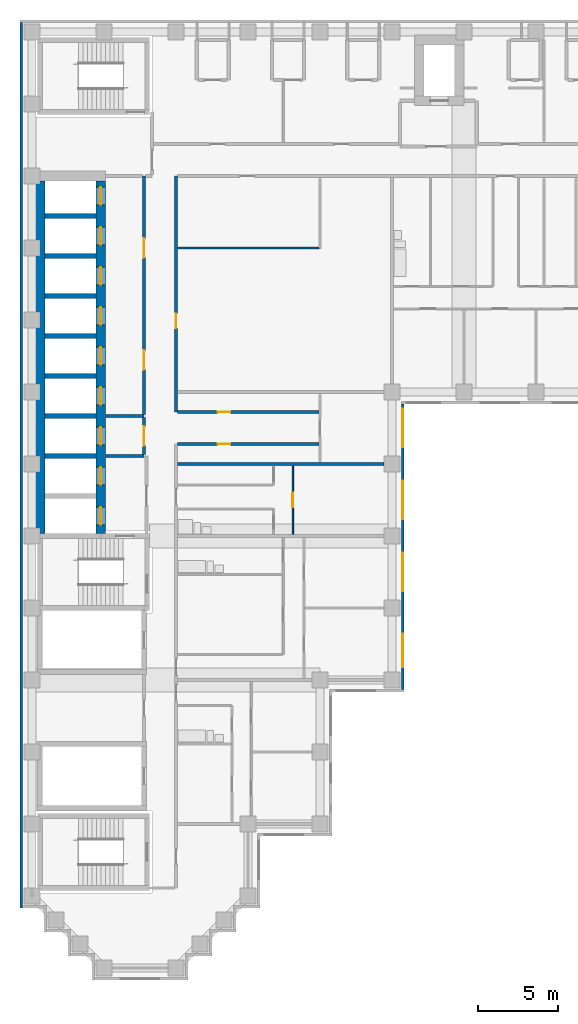
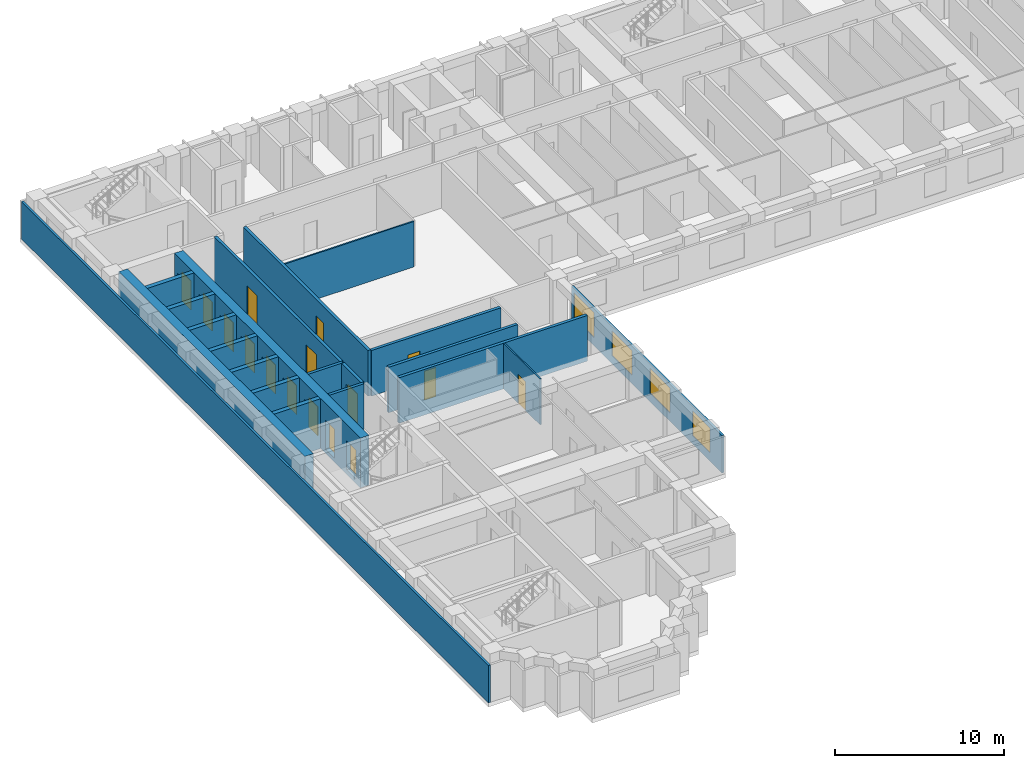
# One storey, part 4 of 11: 21 walls, 16 doors, 4 windows, 20 openings.
"""IFC4 building model written with IfcOpenShell, lengths in metres."""

from ifc_helpers import new_model, si_unit, direction, frame, frame_2d, origin, place, context, subcontext, project, spatial, rectangle, extrude, material, layer, layer_set, type_object, element, fill, save


model = new_model("IFC4")

# Units and contexts
model_context = context("Model", 3, precision=1e-05, world=origin(), true_north=direction((0.0, 1.0)))
body_context = subcontext(model_context, "Body", "Model", "MODEL_VIEW")
ifc_project = project(units=[si_unit("LENGTHUNIT", "METRE"), si_unit("AREAUNIT", "SQUARE_METRE"), si_unit("VOLUMEUNIT", "CUBIC_METRE"), si_unit("PLANEANGLEUNIT", "RADIAN"), si_unit("MASSUNIT", "GRAM", prefix="KILO")], contexts=[model_context])

# Site, building, storey
site_placement = place(None, origin())
site = spatial("IfcSite", under=ifc_project, at=site_placement, CompositionType="ELEMENT")
building_placement = place(site_placement, origin())
building = spatial("IfcBuilding", under=site, at=building_placement, Name="Firuza Court", CompositionType="ELEMENT")
storey_placement = place(building_placement, frame((0.0, 0.0, 134.0)))
storey = spatial("IfcBuildingStorey", under=building, at=storey_placement, Name="L33", CompositionType="ELEMENT", Elevation=134.0)

# Walls
ifc_material_1 = material(Name="Concrete C60/75", Category="concrete")
ifc_layer_1 = layer(ifc_material_1, 0.300048828125)
ifc_layer_set_1 = layer_set([ifc_layer_1], Name="Concrete C60/75")
wall_type_1 = type_object("IfcWallType", Name="Core wall 300 C60/75", PredefinedType="SHEAR", material=ifc_layer_set_1)
for number, where, z_axis, x_axis, name in (
    (1, (0.800048828125, 32.0, -0.300048828125), (0.0, 0.0, 1.0), (1.0, 0.0, 0.0), "Core wall lift shaft L33"),
    (2, (0.800048828125, 34.5, -0.300048828125), (0.0, 0.0, 1.0), (1.0, 0.0, 0.0), "Core wall lift shaft L33"),
    (3, (0.800048828125, 37.0, -0.300048828125), (0.0, 0.0, 1.0), (1.0, 0.0, 0.0), "Core wall lift shaft L33"),
    (4, (0.800048828125, 39.5, -0.300048828125), (0.0, 0.0, 1.0), (1.0, 0.0, 0.0), "Core wall lift shaft L33"),
    (5, (0.800048828125, 42.0, -0.300048828125), (0.0, 0.0, 1.0), (1.0, 0.0, 0.0), "Core wall lift shaft L33"),
    (6, (0.800048828125, 44.5, -0.300048828125), (0.0, 0.0, 1.0), (1.0, 0.0, 0.0), "Core wall lift shaft L33"),
    (7, (0.800048828125, 47.0, -0.300048828125), (0.0, 0.0, 1.0), (1.0, 0.0, 0.0), "Core wall lift shaft L33"),
):
    element("IfcWall", number, at=place(storey_placement, frame(where, z_axis=z_axis, x_axis=x_axis)), inside=storey, type_object=wall_type_1, Name=name, PredefinedType="SHEAR", context=body_context, shape_type="SweptSolid", body=[
        extrude(rectangle(XDim=3.199951171875, YDim=0.300048828125, at=frame_2d((1.60009765625, 0.0))), origin(), (0.0, 0.0, 1.0), 3.60009765625),
    ])
ifc_layer_2 = layer(ifc_material_1, 0.60009765625)
ifc_layer_set_2 = layer_set([ifc_layer_2], Name="Concrete C60/75")
wall_type_2 = type_object("IfcWallType", Name="Core wall 600 C60/75", PredefinedType="SHEAR", material=ifc_layer_set_2)
wall_1_placement = place(storey_placement, frame((0.5, 27.14990234375, -0.300048828125), z_axis=(0.0, 0.0, 1.0), x_axis=(0.0, 1.0, 0.0)))
element("IfcWall", 8, at=wall_1_placement, inside=storey, type_object=wall_type_2, Name="Core wall lift shaft L33", PredefinedType="SHEAR", context=body_context, shape_type="SweptSolid", body=[
    extrude(rectangle(XDim=22.050048828125, YDim=0.60009765625, at=frame_2d((11.02490234375, 0.0))), origin(), (0.0, 0.0, 1.0), 3.60009765625),
])

# Wall, openings, doors
wall_2_placement = place(storey_placement, frame((4.300048828125, 27.14990234375, -0.300048828125), z_axis=(0.0, 0.0, 1.0), x_axis=(0.0, 1.0, 0.0)))
wall_2 = element("IfcWall", 9, at=wall_2_placement, inside=storey, type_object=wall_type_2, Name="Core wall lift shaft L33", PredefinedType="SHEAR", context=body_context, shape_type="SweptSolid", body=[
    extrude(rectangle(XDim=22.050048828125, YDim=0.60009765625, at=frame_2d((11.02490234375, 0.0))), origin(), (0.0, 0.0, 1.0), 3.60009765625),
])
opening_1_placement = place(wall_2_placement, frame((3.050048828125, 0.0, 0.300048828125)))
opening_1 = element("IfcOpeningElement", 10, at=opening_1_placement, cuts=wall_2, Name="Opening LD-FL1-33", PredefinedType="OPENING", context=body_context, shape_type="SweptSolid", body=[
    extrude(rectangle(XDim=1.10009765625, YDim=2.10009765625, at=frame_2d((0.550048828125, 1.050048828125))), frame((0.0, 0.31201171875, 0.0), z_axis=(0.0, -1.0, 0.0), x_axis=(1.0, 0.0, 0.0)), (0.0, 0.0, 1.0), 0.6240234375),
])
opening_2_placement = place(wall_2_placement, frame((0.550048828125, 0.0, 0.300048828125)))
opening_2 = element("IfcOpeningElement", 11, at=opening_2_placement, cuts=wall_2, Name="Opening LD-FL2-33", PredefinedType="OPENING", context=body_context, shape_type="SweptSolid", body=[
    extrude(rectangle(XDim=1.10009765625, YDim=2.10009765625, at=frame_2d((0.550048828125, 1.050048828125))), frame((0.0, 0.31201171875, 0.0), z_axis=(0.0, -1.0, 0.0), x_axis=(1.0, 0.0, 0.0)), (0.0, 0.0, 1.0), 0.6240234375),
])
opening_3_placement = place(wall_2_placement, frame((20.550048828125, 0.0, 0.300048828125)))
opening_3 = element("IfcOpeningElement", 12, at=opening_3_placement, cuts=wall_2, Name="Opening LD-HB1-33", PredefinedType="OPENING", context=body_context, shape_type="SweptSolid", body=[
    extrude(rectangle(XDim=1.10009765625, YDim=2.10009765625, at=frame_2d((0.550048828125, 1.050048828125))), frame((0.0, 0.31201171875, 0.0), z_axis=(0.0, -1.0, 0.0), x_axis=(1.0, 0.0, 0.0)), (0.0, 0.0, 1.0), 0.6240234375),
])
opening_4_placement = place(wall_2_placement, frame((18.050048828125, 0.0, 0.300048828125)))
opening_4 = element("IfcOpeningElement", 13, at=opening_4_placement, cuts=wall_2, Name="Opening LD-HB2-33", PredefinedType="OPENING", context=body_context, shape_type="SweptSolid", body=[
    extrude(rectangle(XDim=1.10009765625, YDim=2.10009765625, at=frame_2d((0.550048828125, 1.050048828125))), frame((0.0, 0.31201171875, 0.0), z_axis=(0.0, -1.0, 0.0), x_axis=(1.0, 0.0, 0.0)), (0.0, 0.0, 1.0), 0.6240234375),
])
opening_5_placement = place(wall_2_placement, frame((15.550048828125, 0.0, 0.300048828125)))
opening_5 = element("IfcOpeningElement", 14, at=opening_5_placement, cuts=wall_2, Name="Opening LD-HB3-33", PredefinedType="OPENING", context=body_context, shape_type="SweptSolid", body=[
    extrude(rectangle(XDim=1.10009765625, YDim=2.10009765625, at=frame_2d((0.550048828125, 1.050048828125))), frame((0.0, 0.31201171875, 0.0), z_axis=(0.0, -1.0, 0.0), x_axis=(1.0, 0.0, 0.0)), (0.0, 0.0, 1.0), 0.6240234375),
])
opening_6_placement = place(wall_2_placement, frame((13.050048828125, 0.0, 0.300048828125)))
opening_6 = element("IfcOpeningElement", 15, at=opening_6_placement, cuts=wall_2, Name="Opening LD-HB4-33", PredefinedType="OPENING", context=body_context, shape_type="SweptSolid", body=[
    extrude(rectangle(XDim=1.10009765625, YDim=2.10009765625, at=frame_2d((0.550048828125, 1.050048828125))), frame((0.0, 0.31201171875, 0.0), z_axis=(0.0, -1.0, 0.0), x_axis=(1.0, 0.0, 0.0)), (0.0, 0.0, 1.0), 0.6240234375),
])
opening_7_placement = place(wall_2_placement, frame((10.550048828125, 0.0, 0.300048828125)))
opening_7 = element("IfcOpeningElement", 16, at=opening_7_placement, cuts=wall_2, Name="Opening LD-HB5-33", PredefinedType="OPENING", context=body_context, shape_type="SweptSolid", body=[
    extrude(rectangle(XDim=1.10009765625, YDim=2.10009765625, at=frame_2d((0.550048828125, 1.050048828125))), frame((0.0, 0.31201171875, 0.0), z_axis=(0.0, -1.0, 0.0), x_axis=(1.0, 0.0, 0.0)), (0.0, 0.0, 1.0), 0.6240234375),
])
opening_8_placement = place(wall_2_placement, frame((8.050048828125, 0.0, 0.300048828125)))
opening_8 = element("IfcOpeningElement", 17, at=opening_8_placement, cuts=wall_2, Name="Opening LD-HB6-33", PredefinedType="OPENING", context=body_context, shape_type="SweptSolid", body=[
    extrude(rectangle(XDim=1.10009765625, YDim=2.10009765625, at=frame_2d((0.550048828125, 1.050048828125))), frame((0.0, 0.31201171875, 0.0), z_axis=(0.0, -1.0, 0.0), x_axis=(1.0, 0.0, 0.0)), (0.0, 0.0, 1.0), 0.6240234375),
])
opening_9_placement = place(wall_2_placement, frame((5.550048828125, 0.0, 0.300048828125)))
opening_9 = element("IfcOpeningElement", 18, at=opening_9_placement, cuts=wall_2, Name="Opening LD-SL1-33", PredefinedType="OPENING", context=body_context, shape_type="SweptSolid", body=[
    extrude(rectangle(XDim=1.10009765625, YDim=2.10009765625, at=frame_2d((0.550048828125, 1.050048828125))), frame((0.0, 0.31201171875, 0.0), z_axis=(0.0, -1.0, 0.0), x_axis=(1.0, 0.0, 0.0)), (0.0, 0.0, 1.0), 0.6240234375),
])
ifc_material_2 = material(Name="Stainless steel 1.4301 door leaf", Category="steel")
door_type_1 = type_object("IfcDoorType", Name="Lift landing door 1100", OperationType="SLIDING_TO_LEFT", PredefinedType="DOOR", material=ifc_material_2)
door_1_placement = place(opening_1_placement, origin())
door_1 = element("IfcDoor", 19, at=door_1_placement, inside=storey, type_object=door_type_1, Name="Landing door FL1", OperationType="SLIDING_TO_LEFT", OverallHeight=2.10009765625, OverallWidth=1.10009765625, PredefinedType="DOOR", context=body_context, shape_type="SweptSolid", body=[
    extrude(rectangle(XDim=1.10009765625, YDim=2.10009765625, at=frame_2d((0.550048828125, 1.050048828125))), frame((0.0, 0.02490234375, 0.0), z_axis=(0.0, -1.0, 0.0), x_axis=(1.0, 0.0, 0.0)), (0.0, 0.0, 1.0), 0.050048828125),
])
fill(opening_1, door_1)
door_2_placement = place(opening_2_placement, origin())
door_2 = element("IfcDoor", 20, at=door_2_placement, inside=storey, type_object=door_type_1, Name="Landing door FL2", OperationType="SLIDING_TO_LEFT", OverallHeight=2.10009765625, OverallWidth=1.10009765625, PredefinedType="DOOR", context=body_context, shape_type="SweptSolid", body=[
    extrude(rectangle(XDim=1.10009765625, YDim=2.10009765625, at=frame_2d((0.550048828125, 1.050048828125))), frame((0.0, 0.02490234375, 0.0), z_axis=(0.0, -1.0, 0.0), x_axis=(1.0, 0.0, 0.0)), (0.0, 0.0, 1.0), 0.050048828125),
])
fill(opening_2, door_2)
door_3_placement = place(opening_3_placement, origin())
door_3 = element("IfcDoor", 21, at=door_3_placement, inside=storey, type_object=door_type_1, Name="Landing door HB1", OperationType="SLIDING_TO_LEFT", OverallHeight=2.10009765625, OverallWidth=1.10009765625, PredefinedType="DOOR", context=body_context, shape_type="SweptSolid", body=[
    extrude(rectangle(XDim=1.10009765625, YDim=2.10009765625, at=frame_2d((0.550048828125, 1.050048828125))), frame((0.0, 0.02490234375, 0.0), z_axis=(0.0, -1.0, 0.0), x_axis=(1.0, 0.0, 0.0)), (0.0, 0.0, 1.0), 0.050048828125),
])
fill(opening_3, door_3)
door_4_placement = place(opening_4_placement, origin())
door_4 = element("IfcDoor", 22, at=door_4_placement, inside=storey, type_object=door_type_1, Name="Landing door HB2", OperationType="SLIDING_TO_LEFT", OverallHeight=2.10009765625, OverallWidth=1.10009765625, PredefinedType="DOOR", context=body_context, shape_type="SweptSolid", body=[
    extrude(rectangle(XDim=1.10009765625, YDim=2.10009765625, at=frame_2d((0.550048828125, 1.050048828125))), frame((0.0, 0.02490234375, 0.0), z_axis=(0.0, -1.0, 0.0), x_axis=(1.0, 0.0, 0.0)), (0.0, 0.0, 1.0), 0.050048828125),
])
fill(opening_4, door_4)
door_5_placement = place(opening_5_placement, origin())
door_5 = element("IfcDoor", 23, at=door_5_placement, inside=storey, type_object=door_type_1, Name="Landing door HB3", OperationType="SLIDING_TO_LEFT", OverallHeight=2.10009765625, OverallWidth=1.10009765625, PredefinedType="DOOR", context=body_context, shape_type="SweptSolid", body=[
    extrude(rectangle(XDim=1.10009765625, YDim=2.10009765625, at=frame_2d((0.550048828125, 1.050048828125))), frame((0.0, 0.02490234375, 0.0), z_axis=(0.0, -1.0, 0.0), x_axis=(1.0, 0.0, 0.0)), (0.0, 0.0, 1.0), 0.050048828125),
])
fill(opening_5, door_5)
door_6_placement = place(opening_6_placement, origin())
door_6 = element("IfcDoor", 24, at=door_6_placement, inside=storey, type_object=door_type_1, Name="Landing door HB4", OperationType="SLIDING_TO_LEFT", OverallHeight=2.10009765625, OverallWidth=1.10009765625, PredefinedType="DOOR", context=body_context, shape_type="SweptSolid", body=[
    extrude(rectangle(XDim=1.10009765625, YDim=2.10009765625, at=frame_2d((0.550048828125, 1.050048828125))), frame((0.0, 0.02490234375, 0.0), z_axis=(0.0, -1.0, 0.0), x_axis=(1.0, 0.0, 0.0)), (0.0, 0.0, 1.0), 0.050048828125),
])
fill(opening_6, door_6)
door_7_placement = place(opening_7_placement, origin())
door_7 = element("IfcDoor", 25, at=door_7_placement, inside=storey, type_object=door_type_1, Name="Landing door HB5", OperationType="SLIDING_TO_LEFT", OverallHeight=2.10009765625, OverallWidth=1.10009765625, PredefinedType="DOOR", context=body_context, shape_type="SweptSolid", body=[
    extrude(rectangle(XDim=1.10009765625, YDim=2.10009765625, at=frame_2d((0.550048828125, 1.050048828125))), frame((0.0, 0.02490234375, 0.0), z_axis=(0.0, -1.0, 0.0), x_axis=(1.0, 0.0, 0.0)), (0.0, 0.0, 1.0), 0.050048828125),
])
fill(opening_7, door_7)
door_8_placement = place(opening_8_placement, origin())
door_8 = element("IfcDoor", 26, at=door_8_placement, inside=storey, type_object=door_type_1, Name="Landing door HB6", OperationType="SLIDING_TO_LEFT", OverallHeight=2.10009765625, OverallWidth=1.10009765625, PredefinedType="DOOR", context=body_context, shape_type="SweptSolid", body=[
    extrude(rectangle(XDim=1.10009765625, YDim=2.10009765625, at=frame_2d((0.550048828125, 1.050048828125))), frame((0.0, 0.02490234375, 0.0), z_axis=(0.0, -1.0, 0.0), x_axis=(1.0, 0.0, 0.0)), (0.0, 0.0, 1.0), 0.050048828125),
])
fill(opening_8, door_8)
door_9_placement = place(opening_9_placement, origin())
door_9 = element("IfcDoor", 27, at=door_9_placement, inside=storey, type_object=door_type_1, Name="Landing door SL1", OperationType="SLIDING_TO_LEFT", OverallHeight=2.10009765625, OverallWidth=1.10009765625, PredefinedType="DOOR", context=body_context, shape_type="SweptSolid", body=[
    extrude(rectangle(XDim=1.10009765625, YDim=2.10009765625, at=frame_2d((0.550048828125, 1.050048828125))), frame((0.0, 0.02490234375, 0.0), z_axis=(0.0, -1.0, 0.0), x_axis=(1.0, 0.0, 0.0)), (0.0, 0.0, 1.0), 0.050048828125),
])
fill(opening_9, door_9)

# Wall, opening, door
ifc_material_3 = material(Name="Blockwork, plastered both sides", Category="masonry")
ifc_layer_3 = layer(ifc_material_3, 0.199951171875)
ifc_layer_set_3 = layer_set([ifc_layer_3], Name="Blockwork, plastered both sides")
wall_type_3 = type_object("IfcWallType", Name="Corridor wall 200", PredefinedType="PARTITIONING", material=ifc_layer_set_3)
wall_3_placement = place(storey_placement, frame((9.10009765625, 32.75, 0.0), z_axis=(0.0, 0.0, 1.0), x_axis=(1.0, 0.0, 0.0)))
wall_3 = element("IfcWall", 28, at=wall_3_placement, inside=storey, type_object=wall_type_3, Name="Corridor wall 200 L33", PredefinedType="PARTITIONING", context=body_context, shape_type="SweptSolid", body=[
    extrude(rectangle(XDim=8.849853515625, YDim=0.199951171875, at=frame_2d((4.4248046875, 0.0))), origin(), (0.0, 0.0, 1.0), 3.300048828125),
])
opening_10_placement = place(wall_3_placement, frame((2.5, 0.0, 0.0)))
opening_10 = element("IfcOpeningElement", 29, at=opening_10_placement, cuts=wall_3, Name="Opening D33035", PredefinedType="OPENING", context=body_context, shape_type="SweptSolid", body=[
    extrude(rectangle(XDim=0.800048828125, YDim=2.10009765625, at=frame_2d((0.39990234375, 1.050048828125))), frame((0.0, 0.11181640625, 0.0), z_axis=(0.0, -1.0, 0.0), x_axis=(1.0, 0.0, 0.0)), (0.0, 0.0, 1.0), 0.223876953125),
])
ifc_material_4 = material(Name="Timber door leaf in hardwood frame", Category="wood")
door_type_2 = type_object("IfcDoorType", Name="Room door 800 EI 30", OperationType="SINGLE_SWING_LEFT", PredefinedType="DOOR", material=ifc_material_4)
door_10_placement = place(opening_10_placement, frame((0.800048828125, 0.0, 0.0), z_axis=(0.0, 0.0, 1.0), x_axis=(-1.0, 0.0, 0.0)))
door_10 = element("IfcDoor", 30, at=door_10_placement, inside=storey, type_object=door_type_2, Name="Store door", OperationType="SINGLE_SWING_RIGHT", OverallHeight=2.10009765625, OverallWidth=0.800048828125, PredefinedType="DOOR", context=body_context, shape_type="SweptSolid", body=[
    extrude(rectangle(XDim=0.800048828125, YDim=2.10009765625, at=frame_2d((0.39990234375, 1.050048828125))), frame((0.0, 0.02490234375, 0.0), z_axis=(0.0, -1.0, 0.0), x_axis=(1.0, 0.0, 0.0)), (0.0, 0.0, 1.0), 0.050048828125),
])
fill(opening_10, door_10)

wall_4_placement = place(storey_placement, frame((9.0, 34.75, 0.0), z_axis=(0.0, 0.0, 1.0), x_axis=(0.0, 1.0, 0.0)))
wall_4 = element("IfcWall", 31, at=wall_4_placement, inside=storey, type_object=wall_type_3, Name="Corridor wall 200 L33", PredefinedType="PARTITIONING", context=body_context, shape_type="SweptSolid", body=[
    extrude(rectangle(XDim=14.75, YDim=0.199951171875, at=frame_2d((7.375, 0.0))), origin(), (0.0, 0.0, 1.0), 3.300048828125),
])
opening_11_placement = place(wall_4_placement, frame((5.25, 0.0, 0.0)))
opening_11 = element("IfcOpeningElement", 32, at=opening_11_placement, cuts=wall_4, Name="Opening D33036", PredefinedType="OPENING", context=body_context, shape_type="SweptSolid", body=[
    extrude(rectangle(XDim=0.89990234375, YDim=2.10009765625, at=frame_2d((0.449951171875, 1.050048828125))), frame((0.0, 0.11181640625, 0.0), z_axis=(0.0, -1.0, 0.0), x_axis=(1.0, 0.0, 0.0)), (0.0, 0.0, 1.0), 0.223876953125),
])
ifc_material_5 = material(Name="Timber door leaf in hardwood frame", Category="wood")
door_type_3 = type_object("IfcDoorType", Name="Room door 900 EI 30", OperationType="SINGLE_SWING_LEFT", PredefinedType="DOOR", material=ifc_material_5)
door_11_placement = place(opening_11_placement, frame((0.89990234375, 0.0, 0.0), z_axis=(0.0, 0.0, 1.0), x_axis=(-1.0, 0.0, 0.0)))
door_11 = element("IfcDoor", 33, at=door_11_placement, inside=storey, type_object=door_type_3, Name="Music room door", OperationType="SINGLE_SWING_RIGHT", OverallHeight=2.10009765625, OverallWidth=0.89990234375, PredefinedType="DOOR", context=body_context, shape_type="SweptSolid", body=[
    extrude(rectangle(XDim=0.89990234375, YDim=2.10009765625, at=frame_2d((0.449951171875, 1.050048828125))), frame((0.0, 0.02490234375, 0.0), z_axis=(0.0, -1.0, 0.0), x_axis=(1.0, 0.0, 0.0)), (0.0, 0.0, 1.0), 0.050048828125),
])
fill(opening_11, door_11)

wall_5_placement = place(storey_placement, frame((9.10009765625, 34.75, 0.0), z_axis=(0.0, 0.0, 1.0), x_axis=(1.0, 0.0, 0.0)))
wall_5 = element("IfcWall", 34, at=wall_5_placement, inside=storey, type_object=wall_type_3, Name="Corridor wall 200 L33", PredefinedType="PARTITIONING", context=body_context, shape_type="SweptSolid", body=[
    extrude(rectangle(XDim=8.849853515625, YDim=0.199951171875, at=frame_2d((4.4248046875, 0.0))), origin(), (0.0, 0.0, 1.0), 3.300048828125),
])
opening_12_placement = place(wall_5_placement, frame((2.5, 0.0, 0.0)))
opening_12 = element("IfcOpeningElement", 35, at=opening_12_placement, cuts=wall_5, Name="Opening D33037", PredefinedType="OPENING", context=body_context, shape_type="SweptSolid", body=[
    extrude(rectangle(XDim=0.800048828125, YDim=2.10009765625, at=frame_2d((0.39990234375, 1.050048828125))), frame((0.0, 0.11181640625, 0.0), z_axis=(0.0, -1.0, 0.0), x_axis=(1.0, 0.0, 0.0)), (0.0, 0.0, 1.0), 0.223876953125),
])
door_12_placement = place(opening_12_placement, origin())
door_12 = element("IfcDoor", 36, at=door_12_placement, inside=storey, type_object=door_type_2, Name="Store door", OperationType="SINGLE_SWING_LEFT", OverallHeight=2.10009765625, OverallWidth=0.800048828125, PredefinedType="DOOR", context=body_context, shape_type="SweptSolid", body=[
    extrude(rectangle(XDim=0.800048828125, YDim=2.10009765625, at=frame_2d((0.39990234375, 1.050048828125))), frame((0.0, 0.02490234375, 0.0), z_axis=(0.0, -1.0, 0.0), x_axis=(1.0, 0.0, 0.0)), (0.0, 0.0, 1.0), 0.050048828125),
])
fill(opening_12, door_12)

ifc_material_6 = material(Name="Timber stud partition, plasterboard both sides", Category="wood")
ifc_layer_4 = layer(ifc_material_6, 0.10009765625)
ifc_layer_set_4 = layer_set([ifc_layer_4], Name="Timber stud partition, plasterboard both sides")
wall_type_4 = type_object("IfcWallType", Name="Partition wall 100", PredefinedType="PARTITIONING", material=ifc_layer_set_4)
wall_6_placement = place(storey_placement, frame((16.300048828125, 27.10009765625, 0.0), z_axis=(0.0, 0.0, 1.0), x_axis=(0.0, 1.0, 0.0)))
wall_6 = element("IfcWall", 37, at=wall_6_placement, inside=storey, type_object=wall_type_4, Name="Partition wall 100 L33", PredefinedType="PARTITIONING", context=body_context, shape_type="SweptSolid", body=[
    extrude(rectangle(XDim=4.2998046875, YDim=0.10009765625, at=frame_2d((2.14990234375, 0.0))), origin(), (0.0, 0.0, 1.0), 3.300048828125),
])
opening_13_placement = place(wall_6_placement, frame((1.699951171875, 0.0, 0.0)))
opening_13 = element("IfcOpeningElement", 38, at=opening_13_placement, cuts=wall_6, Name="Opening D33032", PredefinedType="OPENING", context=body_context, shape_type="SweptSolid", body=[
    extrude(rectangle(XDim=0.89990234375, YDim=2.10009765625, at=frame_2d((0.449951171875, 1.050048828125))), frame((0.0, 0.06201171875, 0.0), z_axis=(0.0, -1.0, 0.0), x_axis=(1.0, 0.0, 0.0)), (0.0, 0.0, 1.0), 0.1240234375),
])
ifc_material_7 = material(Name="Timber door leaf in hardwood frame", Category="wood")
door_type_4 = type_object("IfcDoorType", Name="Room door 900", OperationType="SINGLE_SWING_LEFT", PredefinedType="DOOR", material=ifc_material_7)
door_13_placement = place(opening_13_placement, frame((0.89990234375, 0.0, 0.0), z_axis=(0.0, 0.0, 1.0), x_axis=(-1.0, 0.0, 0.0)))
door_13 = element("IfcDoor", 39, at=door_13_placement, inside=storey, type_object=door_type_4, Name="Studio room door", OperationType="SINGLE_SWING_RIGHT", OverallHeight=2.10009765625, OverallWidth=0.89990234375, PredefinedType="DOOR", context=body_context, shape_type="SweptSolid", body=[
    extrude(rectangle(XDim=0.89990234375, YDim=2.10009765625, at=frame_2d((0.449951171875, 1.050048828125))), frame((0.0, 0.02490234375, 0.0), z_axis=(0.0, -1.0, 0.0), x_axis=(1.0, 0.0, 0.0)), (0.0, 0.0, 1.0), 0.050048828125),
])
fill(opening_13, door_13)

# Walls
wall_7_placement = place(storey_placement, frame((9.10009765625, 45.0, 0.0), z_axis=(0.0, 0.0, 1.0), x_axis=(1.0, 0.0, 0.0)))
element("IfcWall", 40, at=wall_7_placement, inside=storey, type_object=wall_type_4, Name="Partition wall 100 L33", PredefinedType="PARTITIONING", context=body_context, shape_type="SweptSolid", body=[
    extrude(rectangle(XDim=8.849853515625, YDim=0.10009765625, at=frame_2d((4.4248046875, 0.0))), origin(), (0.0, 0.0, 1.0), 3.300048828125),
])
ifc_layer_5 = layer(ifc_material_3, 0.199951171875)
ifc_layer_set_5 = layer_set([ifc_layer_5], Name="Blockwork, plastered both sides")
wall_type_5 = type_object("IfcWallType", Name="Party wall 200", PredefinedType="PARTITIONING", material=ifc_layer_set_5)
wall_8_placement = place(storey_placement, frame((9.10009765625, 31.5, 0.0), z_axis=(0.0, 0.0, 1.0), x_axis=(1.0, 0.0, 0.0)))
element("IfcWall", 41, at=wall_8_placement, inside=storey, type_object=wall_type_5, Name="Party wall 200 L33", PredefinedType="PARTITIONING", context=body_context, shape_type="SweptSolid", body=[
    extrude(rectangle(XDim=12.89990234375, YDim=0.199951171875, at=frame_2d((6.449951171875, 0.0))), origin(), (0.0, 0.0, 1.0), 3.300048828125),
])

# Wall, openings, windows
ifc_material_8 = material(Name="Ceramic tile", Category="ceramic")
ifc_layer_6 = layer(ifc_material_8, 0.02001953125)
ifc_material_9 = material(Name="Mineral wool insulation", Category="insulation")
ifc_layer_7 = layer(ifc_material_9, 0.050048828125)
ifc_material_10 = material(Name="Concrete C40/50 precast", Category="concrete")
ifc_layer_8 = layer(ifc_material_10, 0.080078125)
ifc_layer_set_6 = layer_set([ifc_layer_6, ifc_layer_7, ifc_layer_8], Name="Concrete C40/50 precast")
wall_type_6 = type_object("IfcWallType", Name="Precast cladding wall with turquoise TILE PANEL face 150", PredefinedType="STANDARD", material=ifc_layer_set_6)
wall_9_placement = place(storey_placement, frame((23.175048828125, 17.39990234375, 0.0), z_axis=(0.0, 0.0, 1.0), x_axis=(0.0, 1.0, 0.0)))
wall_9 = element("IfcWall", 42, at=wall_9_placement, inside=storey, type_object=wall_type_6, Name="Facade wall L33 E", PredefinedType="STANDARD", context=body_context, shape_type="SweptSolid", body=[
    extrude(rectangle(XDim=17.85009765625, YDim=0.14990234375, at=frame_2d((8.925048828125, 0.0))), origin(), (0.0, 0.0, 1.0), 2.699951171875),
])
opening_14_placement = place(wall_9_placement, frame((1.385009765625, 0.0, 0.60009765625)))
opening_14 = element("IfcOpeningElement", 43, at=opening_14_placement, cuts=wall_9, Name="Opening W6", PredefinedType="OPENING", context=body_context, shape_type="SweptSolid", body=[
    extrude(rectangle(XDim=2.10009765625, YDim=1.800048828125, at=frame_2d((1.050048828125, 0.89990234375))), frame((0.0, 0.0869140625, 0.0), z_axis=(0.0, -1.0, 0.0), x_axis=(1.0, 0.0, 0.0)), (0.0, 0.0, 1.0), 0.173828125),
])
opening_15_placement = place(wall_9_placement, frame((6.14990234375, 0.0, 0.60009765625)))
opening_15 = element("IfcOpeningElement", 44, at=opening_15_placement, cuts=wall_9, Name="Opening W1", PredefinedType="OPENING", context=body_context, shape_type="SweptSolid", body=[
    extrude(rectangle(XDim=2.39990234375, YDim=1.800048828125, at=frame_2d((1.199951171875, 0.89990234375))), frame((0.0, 0.0869140625, 0.0), z_axis=(0.0, -1.0, 0.0), x_axis=(1.0, 0.0, 0.0)), (0.0, 0.0, 1.0), 0.173828125),
])
opening_16_placement = place(wall_9_placement, frame((10.64990234375, 0.0, 0.60009765625)))
opening_16 = element("IfcOpeningElement", 45, at=opening_16_placement, cuts=wall_9, Name="Opening W1", PredefinedType="OPENING", context=body_context, shape_type="SweptSolid", body=[
    extrude(rectangle(XDim=2.39990234375, YDim=1.800048828125, at=frame_2d((1.199951171875, 0.89990234375))), frame((0.0, 0.0869140625, 0.0), z_axis=(0.0, -1.0, 0.0), x_axis=(1.0, 0.0, 0.0)), (0.0, 0.0, 1.0), 0.173828125),
])
opening_17_placement = place(wall_9_placement, frame((15.14990234375, 0.0, 0.60009765625)))
opening_17 = element("IfcOpeningElement", 46, at=opening_17_placement, cuts=wall_9, Name="Opening W1", PredefinedType="OPENING", context=body_context, shape_type="SweptSolid", body=[
    extrude(rectangle(XDim=2.39990234375, YDim=1.800048828125, at=frame_2d((1.199951171875, 0.89990234375))), frame((0.0, 0.0869140625, 0.0), z_axis=(0.0, -1.0, 0.0), x_axis=(1.0, 0.0, 0.0)), (0.0, 0.0, 1.0), 0.173828125),
])
ifc_material_11 = material(Name="Aluminium frame, triple clear glazing", Category="aluminium")
window_type_1 = type_object("IfcWindowType", Name="Window W1 2400 x 1800", PartitioningType="SINGLE_PANEL", PredefinedType="WINDOW", material=ifc_material_11)
window_1_placement = place(opening_15_placement, origin())
window_1 = element("IfcWindow", 47, at=window_1_placement, inside=storey, type_object=window_type_1, Name="Window L33", OverallHeight=1.800048828125, OverallWidth=2.39990234375, PartitioningType="SINGLE_PANEL", PredefinedType="WINDOW", context=body_context, shape_type="SweptSolid", body=[
    extrude(rectangle(XDim=2.39990234375, YDim=1.800048828125, at=frame_2d((1.199951171875, 0.89990234375))), frame((0.0, 0.030029296875, 0.0), z_axis=(0.0, -1.0, 0.0), x_axis=(1.0, 0.0, 0.0)), (0.0, 0.0, 1.0), 0.06005859375),
])
fill(opening_15, window_1)
window_2_placement = place(opening_16_placement, origin())
window_2 = element("IfcWindow", 48, at=window_2_placement, inside=storey, type_object=window_type_1, Name="Window L33", OverallHeight=1.800048828125, OverallWidth=2.39990234375, PartitioningType="SINGLE_PANEL", PredefinedType="WINDOW", context=body_context, shape_type="SweptSolid", body=[
    extrude(rectangle(XDim=2.39990234375, YDim=1.800048828125, at=frame_2d((1.199951171875, 0.89990234375))), frame((0.0, 0.030029296875, 0.0), z_axis=(0.0, -1.0, 0.0), x_axis=(1.0, 0.0, 0.0)), (0.0, 0.0, 1.0), 0.06005859375),
])
fill(opening_16, window_2)
window_3_placement = place(opening_17_placement, origin())
window_3 = element("IfcWindow", 49, at=window_3_placement, inside=storey, type_object=window_type_1, Name="Window L33", OverallHeight=1.800048828125, OverallWidth=2.39990234375, PartitioningType="SINGLE_PANEL", PredefinedType="WINDOW", context=body_context, shape_type="SweptSolid", body=[
    extrude(rectangle(XDim=2.39990234375, YDim=1.800048828125, at=frame_2d((1.199951171875, 0.89990234375))), frame((0.0, 0.030029296875, 0.0), z_axis=(0.0, -1.0, 0.0), x_axis=(1.0, 0.0, 0.0)), (0.0, 0.0, 1.0), 0.06005859375),
])
fill(opening_17, window_3)
ifc_material_12 = material(Name="Aluminium frame, triple clear glazing", Category="aluminium")
window_type_2 = type_object("IfcWindowType", Name="Window W6 2100 x 1800", PartitioningType="SINGLE_PANEL", PredefinedType="WINDOW", material=ifc_material_12)
window_4_placement = place(opening_14_placement, origin())
window_4 = element("IfcWindow", 50, at=window_4_placement, inside=storey, type_object=window_type_2, Name="Window L33", OverallHeight=1.800048828125, OverallWidth=2.10009765625, PartitioningType="SINGLE_PANEL", PredefinedType="WINDOW", context=body_context, shape_type="SweptSolid", body=[
    extrude(rectangle(XDim=2.10009765625, YDim=1.800048828125, at=frame_2d((1.050048828125, 0.89990234375))), frame((0.0, 0.030029296875, 0.0), z_axis=(0.0, -1.0, 0.0), x_axis=(1.0, 0.0, 0.0)), (0.0, 0.0, 1.0), 0.06005859375),
])
fill(opening_14, window_4)

# Walls
wall_10_placement = place(storey_placement, frame((-0.675048828125, 59.10009765625, 0.0), z_axis=(0.0, 0.0, 1.0), x_axis=(0.0, -1.0, 0.0)))
element("IfcWall", 51, at=wall_10_placement, inside=storey, type_object=wall_type_6, Name="Facade wall L33 W", PredefinedType="STANDARD", context=body_context, shape_type="SweptSolid", body=[
    extrude(rectangle(XDim=55.35009765625, YDim=0.14990234375, at=frame_2d((27.675048828125, 0.0))), origin(), (0.0, 0.0, 1.0), 2.699951171875),
])
ifc_material_13 = material(Name="Blockwork, fire-rated", Category="masonry")
ifc_layer_9 = layer(ifc_material_13, 0.199951171875)
ifc_layer_set_7 = layer_set([ifc_layer_9], Name="Blockwork, fire-rated")
wall_type_7 = type_object("IfcWallType", Name="Shaft wall 200", PredefinedType="PARTITIONING", material=ifc_layer_set_7)
wall_11_placement = place(storey_placement, frame((4.6201171875, 34.5, 0.0), z_axis=(0.0, 0.0, 1.0), x_axis=(1.0, 0.0, 0.0)))
element("IfcWall", 52, at=wall_11_placement, inside=storey, type_object=wall_type_7, Name="Shaft wall 200 L33", PredefinedType="PARTITIONING", context=body_context, shape_type="SweptSolid", body=[
    extrude(rectangle(XDim=2.3798828125, YDim=0.199951171875, at=frame_2d((1.18994140625, 0.0))), origin(), (0.0, 0.0, 1.0), 3.300048828125),
])

# Wall, openings, doors
wall_12_placement = place(storey_placement, frame((7.0, 34.60009765625, 0.0), z_axis=(0.0, 0.0, 1.0), x_axis=(0.0, 1.0, 0.0)))
wall_12 = element("IfcWall", 53, at=wall_12_placement, inside=storey, type_object=wall_type_7, Name="Shaft wall 200 L33", PredefinedType="PARTITIONING", context=body_context, shape_type="SweptSolid", body=[
    extrude(rectangle(XDim=14.89990234375, YDim=0.199951171875, at=frame_2d((7.449951171875, 0.0))), origin(), (0.0, 0.0, 1.0), 3.300048828125),
])
opening_18_placement = place(wall_12_placement, frame((2.800048828125, 0.0, 0.0)))
opening_18 = element("IfcOpeningElement", 54, at=opening_18_placement, cuts=wall_12, Name="Opening D33004", PredefinedType="OPENING", context=body_context, shape_type="SweptSolid", body=[
    extrude(rectangle(XDim=1.199951171875, YDim=2.10009765625, at=frame_2d((0.60009765625, 1.050048828125))), frame((0.0, 0.11181640625, 0.0), z_axis=(0.0, -1.0, 0.0), x_axis=(1.0, 0.0, 0.0)), (0.0, 0.0, 1.0), 0.223876953125),
])
opening_19_placement = place(wall_12_placement, frame((9.800048828125, 0.0, 0.0)))
opening_19 = element("IfcOpeningElement", 55, at=opening_19_placement, cuts=wall_12, Name="Opening D33005", PredefinedType="OPENING", context=body_context, shape_type="SweptSolid", body=[
    extrude(rectangle(XDim=1.199951171875, YDim=2.10009765625, at=frame_2d((0.60009765625, 1.050048828125))), frame((0.0, 0.11181640625, 0.0), z_axis=(0.0, -1.0, 0.0), x_axis=(1.0, 0.0, 0.0)), (0.0, 0.0, 1.0), 0.223876953125),
])
ifc_material_14 = material(Name="Timber door leaf in hardwood frame", Category="wood")
door_type_5 = type_object("IfcDoorType", Name="Lobby door 1200", OperationType="SINGLE_SWING_LEFT", PredefinedType="DOOR", material=ifc_material_14)
door_14_placement = place(opening_18_placement, origin())
door_14 = element("IfcDoor", 56, at=door_14_placement, inside=storey, type_object=door_type_5, Name="Lobby door", OperationType="SINGLE_SWING_LEFT", OverallHeight=2.10009765625, OverallWidth=1.199951171875, PredefinedType="DOOR", context=body_context, shape_type="SweptSolid", body=[
    extrude(rectangle(XDim=1.199951171875, YDim=2.10009765625, at=frame_2d((0.60009765625, 1.050048828125))), frame((0.0, 0.02490234375, 0.0), z_axis=(0.0, -1.0, 0.0), x_axis=(1.0, 0.0, 0.0)), (0.0, 0.0, 1.0), 0.050048828125),
])
fill(opening_18, door_14)
door_15_placement = place(opening_19_placement, origin())
door_15 = element("IfcDoor", 57, at=door_15_placement, inside=storey, type_object=door_type_5, Name="Lobby door", OperationType="SINGLE_SWING_RIGHT", OverallHeight=2.10009765625, OverallWidth=1.199951171875, PredefinedType="DOOR", context=body_context, shape_type="SweptSolid", body=[
    extrude(rectangle(XDim=1.199951171875, YDim=2.10009765625, at=frame_2d((0.60009765625, 1.050048828125))), frame((0.0, 0.02490234375, 0.0), z_axis=(0.0, -1.0, 0.0), x_axis=(1.0, 0.0, 0.0)), (0.0, 0.0, 1.0), 0.050048828125),
])
fill(opening_19, door_15)

# Wall
wall_13_placement = place(storey_placement, frame((4.6201171875, 32.0, 0.0), z_axis=(0.0, 0.0, 1.0), x_axis=(1.0, 0.0, 0.0)))
element("IfcWall", 58, at=wall_13_placement, inside=storey, type_object=wall_type_7, Name="Shaft wall 200 L33", PredefinedType="PARTITIONING", context=body_context, shape_type="SweptSolid", body=[
    extrude(rectangle(XDim=2.3798828125, YDim=0.199951171875, at=frame_2d((1.18994140625, 0.0))), origin(), (0.0, 0.0, 1.0), 3.300048828125),
])

# Wall, opening, door
wall_14_placement = place(storey_placement, frame((7.0, 32.10009765625, 0.0), z_axis=(0.0, 0.0, 1.0), x_axis=(0.0, 1.0, 0.0)))
wall_14 = element("IfcWall", 59, at=wall_14_placement, inside=storey, type_object=wall_type_7, Name="Shaft wall 200 L33", PredefinedType="PARTITIONING", context=body_context, shape_type="SweptSolid", body=[
    extrude(rectangle(XDim=2.2998046875, YDim=0.199951171875, at=frame_2d((1.14990234375, 0.0))), origin(), (0.0, 0.0, 1.0), 3.300048828125),
])
opening_20_placement = place(wall_14_placement, frame((0.550048828125, 0.0, 0.0)))
opening_20 = element("IfcOpeningElement", 60, at=opening_20_placement, cuts=wall_14, Name="Opening D33008", PredefinedType="OPENING", context=body_context, shape_type="SweptSolid", body=[
    extrude(rectangle(XDim=1.199951171875, YDim=2.10009765625, at=frame_2d((0.60009765625, 1.050048828125))), frame((0.0, 0.11181640625, 0.0), z_axis=(0.0, -1.0, 0.0), x_axis=(1.0, 0.0, 0.0)), (0.0, 0.0, 1.0), 0.223876953125),
])
door_16_placement = place(opening_20_placement, origin())
door_16 = element("IfcDoor", 61, at=door_16_placement, inside=storey, type_object=door_type_5, Name="Lobby door", OperationType="SINGLE_SWING_LEFT", OverallHeight=2.10009765625, OverallWidth=1.199951171875, PredefinedType="DOOR", context=body_context, shape_type="SweptSolid", body=[
    extrude(rectangle(XDim=1.199951171875, YDim=2.10009765625, at=frame_2d((0.60009765625, 1.050048828125))), frame((0.0, 0.02490234375, 0.0), z_axis=(0.0, -1.0, 0.0), x_axis=(1.0, 0.0, 0.0)), (0.0, 0.0, 1.0), 0.050048828125),
])
fill(opening_20, door_16)

save(model, "model.ifc")
